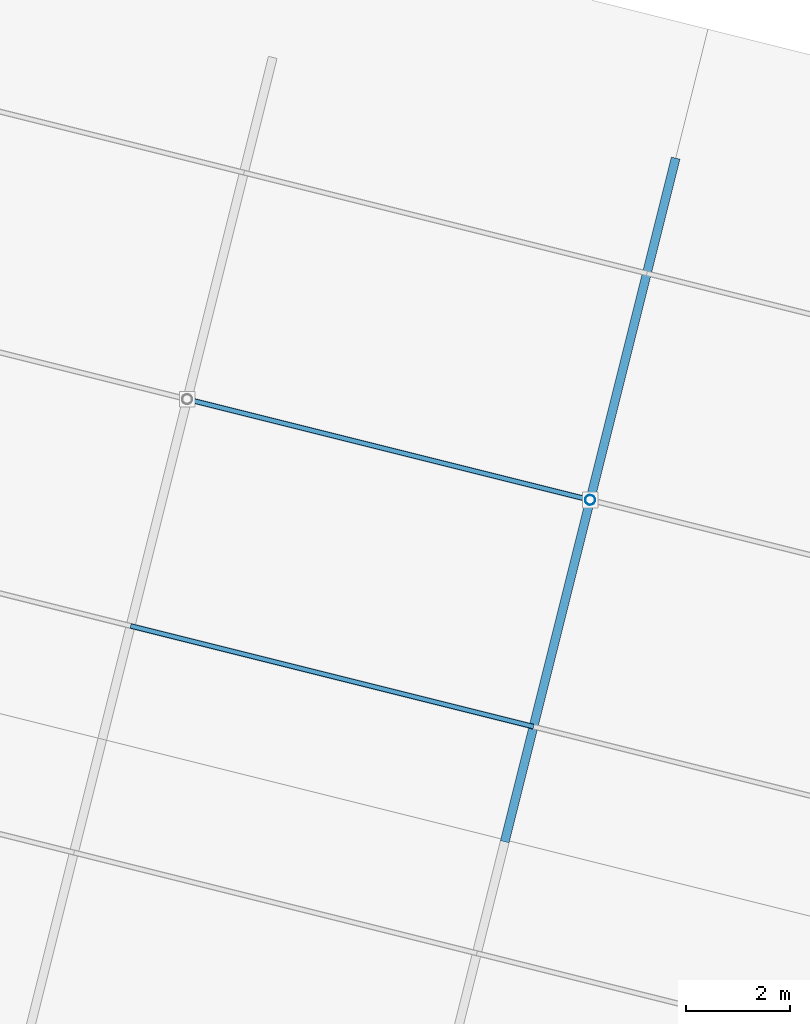
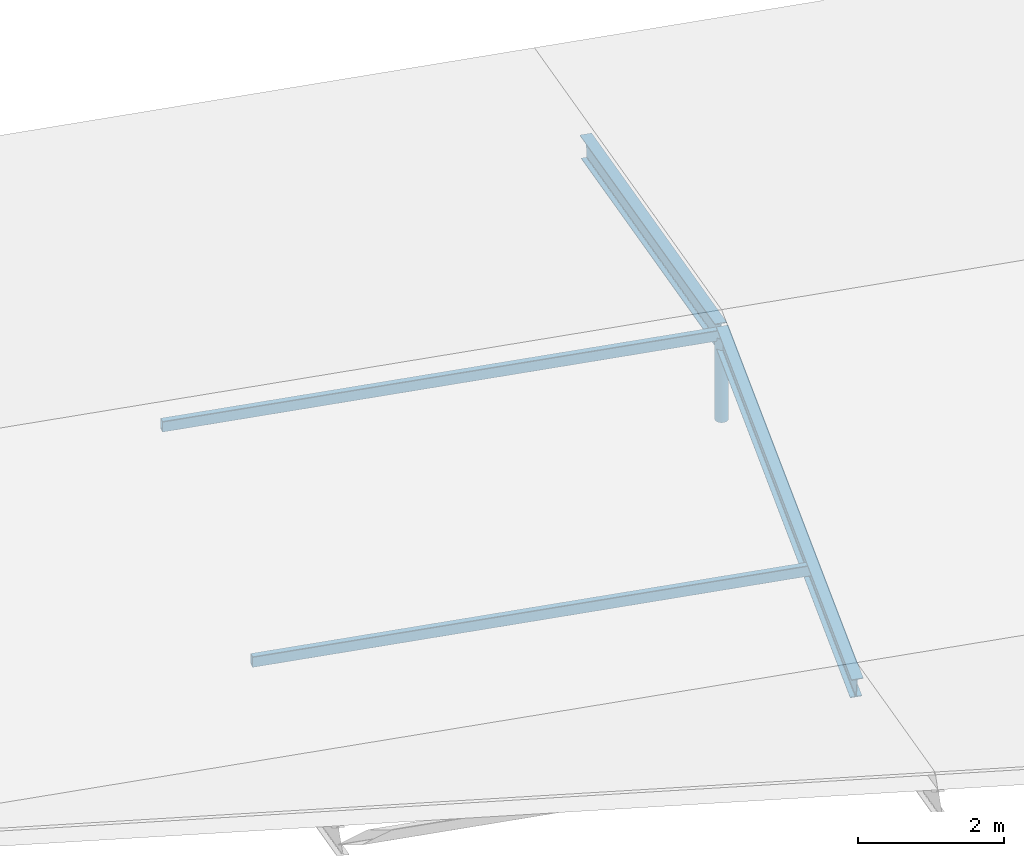
# One storey, part 58 of 107: 5 members.
"""IFC4 building model written with IfcOpenShell, lengths in metres."""

from ifc_helpers import new_model, si_unit, derived_unit, direction, frame, origin, origin_2d, place, context, subcontext, project, spatial, hollow_rectangle, hollow_circle, i_section, extrude, material, material_profile, profile_set, type_object, element, save


model = new_model("IFC4")

# Units and contexts
model_context = context("Model", 3, precision=1e-05, world=origin(), true_north=direction((0.0, 1.0)))
body_context = subcontext(model_context, "Body", "Model", "MODEL_VIEW")
ifc_project = project(units=[si_unit("LENGTHUNIT", "METRE"), si_unit("AREAUNIT", "SQUARE_METRE"), si_unit("VOLUMEUNIT", "CUBIC_METRE"), si_unit("PLANEANGLEUNIT", "RADIAN"), si_unit("MASSUNIT", "GRAM", prefix="KILO"), si_unit("THERMODYNAMICTEMPERATUREUNIT", "KELVIN"), si_unit("TIMEUNIT", "SECOND"), derived_unit("THERMALTRANSMITTANCEUNIT", [(si_unit("MASSUNIT", "GRAM", prefix="KILO"), 1), (si_unit("THERMODYNAMICTEMPERATUREUNIT", "KELVIN"), -1), (si_unit("TIMEUNIT", "SECOND"), -3)])], contexts=[model_context])

# Site, building, storey
site_placement = place(None, origin())
site = spatial("IfcSite", under=ifc_project, at=site_placement, CompositionType="ELEMENT")
building_placement = place(site_placement, origin())
building = spatial("IfcBuilding", under=site, at=building_placement, Name="Cambertide Market Hall", CompositionType="ELEMENT")
storey_placement = place(building_placement, frame((0.0, 0.0, 18.300048828125)))
storey = spatial("IfcBuildingStorey", under=building, at=storey_placement, Name="RF", CompositionType="ELEMENT", Elevation=18.300048828125)

# Members
ifc_material_1 = material(Name="Steel S355", Category="steel")
ifc_material_profile_1 = material_profile(ifc_material_1, i_section(OverallWidth=0.169921875, OverallDepth=0.360107421875, WebThickness=0.008056640625, FlangeThickness=0.0126953125, FilletRadius=0.01806640625, at=origin_2d()), Name="IPE 360")
ifc_profile_set_1 = profile_set([ifc_material_profile_1], Name="Steel S355")
member_type_1 = type_object("IfcMemberType", Name="Radial Fan Rafter IPE 360", PredefinedType="RAFTER", material=ifc_profile_set_1)
member_1_placement = place(storey_placement, frame((126.796630859375, 109.21630859375, -0.3701171875), z_axis=(0.237641829002, 0.950673643448, 0.199363950505), x_axis=(-0.970148882494, 0.242510094215, 0.0)))
element("IfcMember", 1, at=member_1_placement, inside=storey, type_object=member_type_1, Name="RAF-V4-3-3", PredefinedType="RAFTER", context=body_context, shape_type="SweptSolid", body=[
    extrude(i_section(OverallWidth=0.169921875, OverallDepth=0.360107421875, WebThickness=0.008056640625, FlangeThickness=0.0126953125, FilletRadius=0.01806640625, at=origin_2d()), origin(), (0.0, 0.0, 1.0), 6.888427734375),
])
member_2_placement = place(storey_placement, frame((128.43359375, 115.764892578125, 1.003173828125), z_axis=(0.2376832779, 0.950662224848, -0.199368988695), x_axis=(-0.970138244761, 0.242552645939, 0.0)))
element("IfcMember", 2, at=member_2_placement, inside=storey, type_object=member_type_1, Name="RAF-V4-3-4", PredefinedType="RAFTER", context=body_context, shape_type="SweptSolid", body=[
    extrude(i_section(OverallWidth=0.169921875, OverallDepth=0.360107421875, WebThickness=0.008056640625, FlangeThickness=0.0126953125, FilletRadius=0.01806640625, at=origin_2d()), origin(), (0.0, 0.0, 1.0), 6.88818359375),
])
ifc_material_2 = material(Name="Steel S275", Category="steel")
ifc_material_profile_2 = material_profile(ifc_material_2, hollow_rectangle(XDim=0.10009765625, YDim=0.179931640625, WallThickness=0.00634765625, InnerFilletRadius=0.00634765625, OuterFilletRadius=0.0126953125, at=origin_2d()), Name="RHS 180x100x6.3")
ifc_profile_set_2 = profile_set([ifc_material_profile_2], Name="Steel S275")
member_type_2 = type_object("IfcMemberType", Name="Roof Purlin RHS 180x100x6.3", PredefinedType="PURLIN", material=ifc_profile_set_2)
member_3_placement = place(storey_placement, frame((119.5810546875, 113.33935546875, 0.11767578125), z_axis=(0.970146090314, -0.242521263911, 0.0), x_axis=(0.242521263911, 0.970146090314, 0.0)))
element("IfcMember", 3, at=member_3_placement, inside=storey, type_object=member_type_2, Name="PUR-V4-2-157", PredefinedType="PURLIN", context=body_context, shape_type="SweptSolid", body=[
    extrude(hollow_rectangle(XDim=0.10009765625, YDim=0.179931640625, WallThickness=0.00634765625, InnerFilletRadius=0.00634765625, OuterFilletRadius=0.0126953125, at=origin_2d()), origin(), (0.0, 0.0, 1.0), 8.0),
])
member_4_placement = place(storey_placement, frame((120.672607421875, 117.705078125, 1.033203125), z_axis=(0.970144295309, -0.242528444268, 0.0), x_axis=(0.242528444268, 0.970144295309, 0.0)))
element("IfcMember", 4, at=member_4_placement, inside=storey, type_object=member_type_2, Name="PUR-V4-2-202", PredefinedType="PURLIN", context=body_context, shape_type="SweptSolid", body=[
    extrude(hollow_rectangle(XDim=0.10009765625, YDim=0.179931640625, WallThickness=0.00634765625, InnerFilletRadius=0.00634765625, OuterFilletRadius=0.0126953125, at=origin_2d()), origin(), (0.0, 0.0, 1.0), 7.999755859375),
])
ifc_material_3 = material(Name="Steel S355", Category="steel")
ifc_material_profile_3 = material_profile(ifc_material_3, hollow_circle(Radius=0.096923828125, WallThickness=0.00634765625, at=origin_2d()), Name="CHS 193.7x6.3")
ifc_profile_set_3 = profile_set([ifc_material_profile_3], Name="Steel S355")
member_type_3 = type_object("IfcMemberType", Name="Structural Brace CHS 193.7x6.3", PredefinedType="BRACE", material=ifc_profile_set_3)
member_5_placement = place(storey_placement, frame((128.43359375, 115.764892578125, -0.400146484375), z_axis=(0.0, 0.0, 1.0), x_axis=(1.0, 0.0, 0.0)))
element("IfcMember", 5, at=member_5_placement, inside=storey, type_object=member_type_3, Name="KP-V4-3-202", PredefinedType="BRACE", context=body_context, shape_type="SweptSolid", body=[
    extrude(hollow_circle(Radius=0.096923828125, WallThickness=0.00634765625, at=origin_2d()), origin(), (0.0, 0.0, 1.0), 1.4033203125),
])

save(model, "model.ifc")
